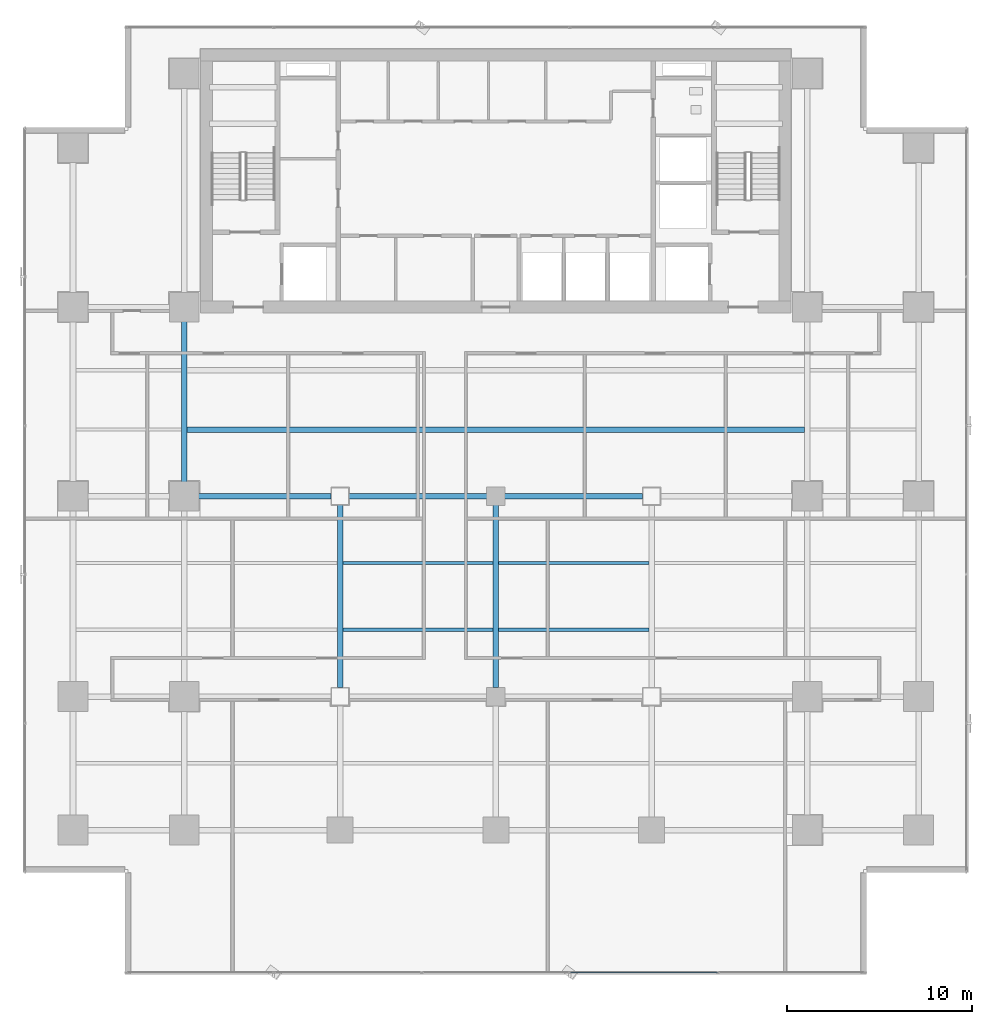
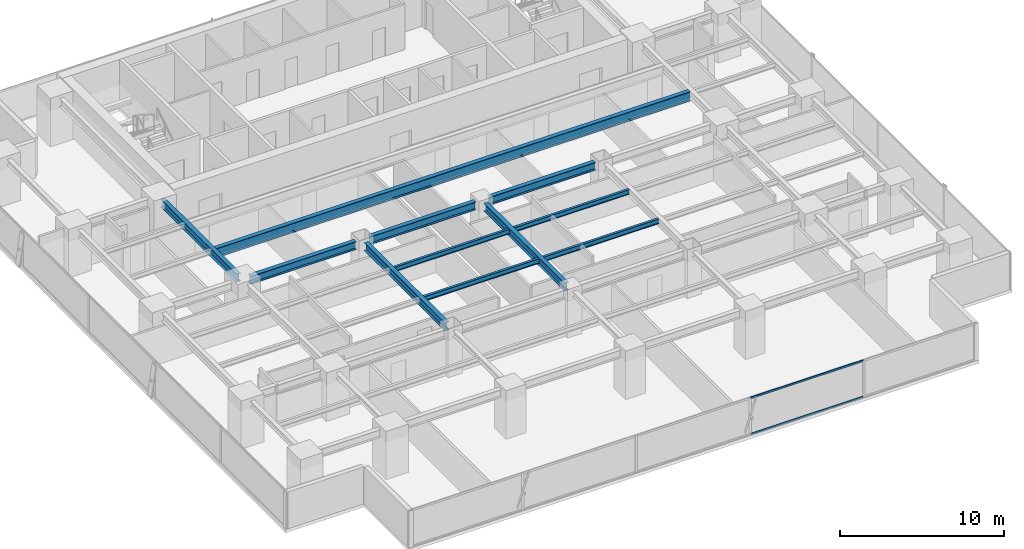
# One storey, part 11 of 34: 11 beams, 2 members, 1 element without a shape of its own.
"""IFC4 building model written with IfcOpenShell, lengths in metres."""

from ifc_helpers import new_model, si_unit, direction, frame, origin, origin_2d, place, context, subcontext, project, spatial, hollow_rectangle, i_section, extrude, source, transform, mapped, material, layer, layer_set, material_profile, profile_set, type_object, element, aggregate, save


model = new_model("IFC4")

# Units and contexts
model_context = context("Model", 3, precision=1e-05, world=origin(), true_north=direction((0.0, 1.0)))
body_context = subcontext(model_context, "Body", "Model", "MODEL_VIEW")
ifc_project = project(units=[si_unit("LENGTHUNIT", "METRE"), si_unit("AREAUNIT", "SQUARE_METRE"), si_unit("VOLUMEUNIT", "CUBIC_METRE"), si_unit("PLANEANGLEUNIT", "RADIAN"), si_unit("MASSUNIT", "GRAM", prefix="KILO")], contexts=[model_context])

# Site, building, storey
site_placement = place(None, origin())
site = spatial("IfcSite", under=ifc_project, at=site_placement, CompositionType="ELEMENT")
building_placement = place(site_placement, origin())
building = spatial("IfcBuilding", under=site, at=building_placement, Name="Sumidabori Civic Tower", CompositionType="ELEMENT")
storey_placement = place(building_placement, frame((0.0, 0.0, 99.199951171875)))
storey = spatial("IfcBuildingStorey", under=building, at=storey_placement, Name="L25", CompositionType="ELEMENT", Elevation=99.199951171875)

# Beams
ifc_material_1 = material(Name="Steel SN490", Category="steel")
ifc_material_profile_1 = material_profile(ifc_material_1, i_section(OverallWidth=0.300048828125, OverallDepth=0.60009765625, WebThickness=0.015380859375, FlangeThickness=0.030029296875, at=origin_2d()), Name="HE 600 B")
ifc_profile_set_1 = profile_set([ifc_material_profile_1], Name="Steel SN490")
beam_type_1 = type_object("IfcBeamType", Name="BM-GIRD-600", PredefinedType="BEAM", material=ifc_profile_set_1)
shared_shape_1 = source(origin(), body_context, "Body", "SweptSolid", [
    extrude(i_section(OverallWidth=0.300048828125, OverallDepth=0.60009765625, WebThickness=0.015380859375, FlangeThickness=0.030029296875, at=origin_2d()), origin(), (0.0, 0.0, 1.0), 7.440185546875),
])
beam_1_placement = place(storey_placement, frame((-16.320068359375, 0.0, 3.06005859375), z_axis=(1.0, 0.0, 0.0), x_axis=(0.0, 1.0, 0.0)))
element("IfcBeam", 1, at=beam_1_placement, inside=storey, type_object=beam_type_1, Name="Primary Girder L25 GX-14", PredefinedType="BEAM", context=body_context, shape_type="MappedRepresentation", body=[
    mapped(shared_shape_1, transform((0.0, 0.0, 0.0), x_axis=(1.0, 0.0, 0.0), y_axis=(0.0, 1.0, 0.0), z_axis=(0.0, 0.0, 1.0), scale=1.0)),
])
shared_shape_2 = source(origin(), body_context, "Body", "SweptSolid", [
    extrude(i_section(OverallWidth=0.300048828125, OverallDepth=0.60009765625, WebThickness=0.015380859375, FlangeThickness=0.030029296875, at=origin_2d()), origin(), (0.0, 0.0, 1.0), 7.43994140625),
])
for number, where, z_axis, x_axis, name in (
    (2, (-7.919921875, 0.0, 3.06005859375), (1.0, 0.0, 0.0), (0.0, 1.0, 0.0), "Primary Girder L25 GX-15"),
    (3, (0.47998046875, 0.0, 3.06005859375), (1.0, 0.0, 0.0), (0.0, 1.0, 0.0), "Primary Girder L25 GX-16"),
):
    element("IfcBeam", number, at=place(storey_placement, frame(where, z_axis=z_axis, x_axis=x_axis)), inside=storey, type_object=beam_type_1, Name=name, PredefinedType="BEAM", context=body_context, shape_type="MappedRepresentation", body=[
        mapped(shared_shape_2, transform((0.0, 0.0, 0.0), x_axis=(1.0, 0.0, 0.0), y_axis=(0.0, 1.0, 0.0), z_axis=(0.0, 0.0, 1.0), scale=1.0)),
    ])
shared_shape_3 = source(origin(), body_context, "Body", "SweptSolid", [
    extrude(i_section(OverallWidth=0.300048828125, OverallDepth=0.60009765625, WebThickness=0.015380859375, FlangeThickness=0.030029296875, at=origin_2d()), origin(), (0.0, 0.0, 1.0), 9.840087890625),
])
for number, where, z_axis, x_axis, name in (
    (4, (-8.39990234375, -10.320068359375, 3.06005859375), (0.0, 1.0, 0.0), (-1.0, 0.0, 0.0), "Primary Girder L25 GY-30"),
    (5, (0.0, -10.320068359375, 3.06005859375), (0.0, 1.0, 0.0), (-1.0, 0.0, 0.0), "Primary Girder L25 GY-32"),
):
    element("IfcBeam", number, at=place(storey_placement, frame(where, z_axis=z_axis, x_axis=x_axis)), inside=storey, type_object=beam_type_1, Name=name, PredefinedType="BEAM", context=body_context, shape_type="MappedRepresentation", body=[
        mapped(shared_shape_3, transform((0.0, 0.0, 0.0), x_axis=(1.0, 0.0, 0.0), y_axis=(0.0, 1.0, 0.0), z_axis=(0.0, 0.0, 1.0), scale=1.0)),
    ])
shared_shape_4 = source(origin(), body_context, "Body", "SweptSolid", [
    extrude(i_section(OverallWidth=0.300048828125, OverallDepth=0.60009765625, WebThickness=0.015380859375, FlangeThickness=0.030029296875, at=origin_2d()), origin(), (0.0, 0.0, 1.0), 9.239990234375),
])
beam_2_placement = place(storey_placement, frame((-16.800048828125, 0.47998046875, 3.06005859375), z_axis=(0.0, 1.0, 0.0), x_axis=(-1.0, 0.0, 0.0)))
element("IfcBeam", 6, at=beam_2_placement, inside=storey, type_object=beam_type_1, Name="Primary Girder L25 GY-27", PredefinedType="BEAM", context=body_context, shape_type="MappedRepresentation", body=[
    mapped(shared_shape_4, transform((0.0, 0.0, 0.0), x_axis=(1.0, 0.0, 0.0), y_axis=(0.0, 1.0, 0.0), z_axis=(0.0, 0.0, 1.0), scale=1.0)),
])
ifc_material_profile_2 = material_profile(ifc_material_1, i_section(OverallWidth=0.300048828125, OverallDepth=0.699951171875, WebThickness=0.01708984375, FlangeThickness=0.031982421875, at=origin_2d()), Name="HE 700 B")
ifc_profile_set_2 = profile_set([ifc_material_profile_2], Name="Steel SN490")
beam_type_2 = type_object("IfcBeamType", Name="BM-GIRD-700", PredefinedType="BEAM", material=ifc_profile_set_2)
shared_shape_5 = source(origin(), body_context, "Body", "SweptSolid", [
    extrude(i_section(OverallWidth=0.300048828125, OverallDepth=0.699951171875, WebThickness=0.01708984375, FlangeThickness=0.031982421875, at=origin_2d()), origin(), (0.0, 0.0, 1.0), 33.2998046875),
])
beam_3_placement = place(storey_placement, frame((-16.64990234375, 3.60009765625, 3.010009765625), z_axis=(1.0, 0.0, 0.0), x_axis=(0.0, 1.0, 0.0)))
element("IfcBeam", 7, at=beam_3_placement, inside=storey, type_object=beam_type_2, Name="North Bay Floor Beam L25 JSTN-53", PredefinedType="BEAM", context=body_context, shape_type="MappedRepresentation", body=[
    mapped(shared_shape_5, transform((0.0, 0.0, 0.0), x_axis=(1.0, 0.0, 0.0), y_axis=(0.0, 1.0, 0.0), z_axis=(0.0, 0.0, 1.0), scale=1.0)),
])
ifc_material_profile_3 = material_profile(ifc_material_1, i_section(OverallWidth=0.169921875, OverallDepth=0.360107421875, WebThickness=0.008056640625, FlangeThickness=0.0126953125, at=origin_2d()), Name="IPE 360")
ifc_profile_set_3 = profile_set([ifc_material_profile_3], Name="Steel SN490")
beam_type_3 = type_object("IfcBeamType", Name="BM-JST-360", PredefinedType="JOIST", material=ifc_profile_set_3)
shared_shape_6 = source(origin(), body_context, "Body", "SweptSolid", [
    extrude(i_section(OverallWidth=0.169921875, OverallDepth=0.360107421875, WebThickness=0.008056640625, FlangeThickness=0.0126953125, at=origin_2d()), origin(), (0.0, 0.0, 1.0), 8.10009765625),
])
for number, where, z_axis, x_axis, name in (
    (8, (-8.25, -7.199951171875, 3.179931640625), (1.0, 0.0, 0.0), (0.0, 1.0, 0.0), "South Bay Floor Joist L25 JSTS-60"),
    (9, (0.14990234375, -7.199951171875, 3.179931640625), (1.0, 0.0, 0.0), (0.0, 1.0, 0.0), "South Bay Floor Joist L25 JSTS-61"),
    (10, (-8.25, -3.60009765625, 3.179931640625), (1.0, 0.0, 0.0), (0.0, 1.0, 0.0), "South Bay Floor Joist L25 JSTS-64"),
    (11, (0.14990234375, -3.60009765625, 3.179931640625), (1.0, 0.0, 0.0), (0.0, 1.0, 0.0), "South Bay Floor Joist L25 JSTS-65"),
):
    element("IfcBeam", number, at=place(storey_placement, frame(where, z_axis=z_axis, x_axis=x_axis)), inside=storey, type_object=beam_type_3, Name=name, PredefinedType="JOIST", context=body_context, shape_type="MappedRepresentation", body=[
        mapped(shared_shape_6, transform((0.0, 0.0, 0.0), x_axis=(1.0, 0.0, 0.0), y_axis=(0.0, 1.0, 0.0), z_axis=(0.0, 0.0, 1.0), scale=1.0)),
    ])

# Curtain wall, members
ifc_material_2 = material(Name="Anodised Bronze Aluminium AW-6063-T6", Category="aluminium")
ifc_layer = layer(ifc_material_2, 0.179931640625, Name="Anodised Bronze Aluminium AW-6063-T6")
ifc_layer_set = layer_set([ifc_layer], Name="Anodised Bronze Aluminium AW-6063-T6")
curtain_wall_type = type_object("IfcCurtainWallType", Name="CW-SYS-3", PredefinedType="NOTDEFINED", material=ifc_layer_set)
curtain_wall_placement = place(storey_placement, origin())
curtain_wall = element("IfcCurtainWall", 12, at=curtain_wall_placement, inside=storey, type_object=curtain_wall_type, Name="Curtain Wall CW:L25:R01", PredefinedType="NOTDEFINED")
ifc_material_profile_4 = material_profile(ifc_material_2, hollow_rectangle(XDim=0.06005859375, YDim=0.1298828125, WallThickness=0.0048828125, at=origin_2d()), Name="ALU TRANSOM 130x60")
ifc_profile_set_4 = profile_set([ifc_material_profile_4], Name="Anodised Bronze Aluminium AW-6063-T6")
member_type = type_object("IfcMemberType", Name="CW-TRN-130", PredefinedType="USERDEFINED", material=ifc_profile_set_4)
shared_shape_7 = source(origin(), body_context, "Body", "SweptSolid", [
    extrude(hollow_rectangle(XDim=0.06005859375, YDim=0.1298828125, WallThickness=0.0048828125, at=origin_2d()), origin(), (0.0, 0.0, 1.0), 7.9228515625),
])
member_1_placement = place(storey_placement, frame((4.026611328125, -25.679931640625, 0.030029296875), z_axis=(1.0, 0.0, 0.0), x_axis=(0.0, 1.0, 0.0)))
member_1 = element("IfcMember", 13, at=member_1_placement, type_object=member_type, Name="CW-3 transom 4.1", ObjectType="TRANSOM", PredefinedType="USERDEFINED", context=body_context, shape_type="MappedRepresentation", body=[
    mapped(shared_shape_7, transform((0.0, 0.0, 0.0), x_axis=(1.0, 0.0, 0.0), y_axis=(0.0, 1.0, 0.0), z_axis=(0.0, 0.0, 1.0), scale=1.0)),
])
member_2_placement = place(storey_placement, frame((4.026611328125, -25.679931640625, 2.7099609375), z_axis=(1.0, 0.0, 0.0), x_axis=(0.0, 1.0, 0.0)))
member_2 = element("IfcMember", 14, at=member_2_placement, type_object=member_type, Name="CW-3 transom 4.2", ObjectType="TRANSOM", PredefinedType="USERDEFINED", context=body_context, shape_type="MappedRepresentation", body=[
    mapped(shared_shape_7, transform((0.0, 0.0, 0.0), x_axis=(1.0, 0.0, 0.0), y_axis=(0.0, 1.0, 0.0), z_axis=(0.0, 0.0, 1.0), scale=1.0)),
])
aggregate(curtain_wall, [member_1, member_2])

save(model, "model.ifc")
